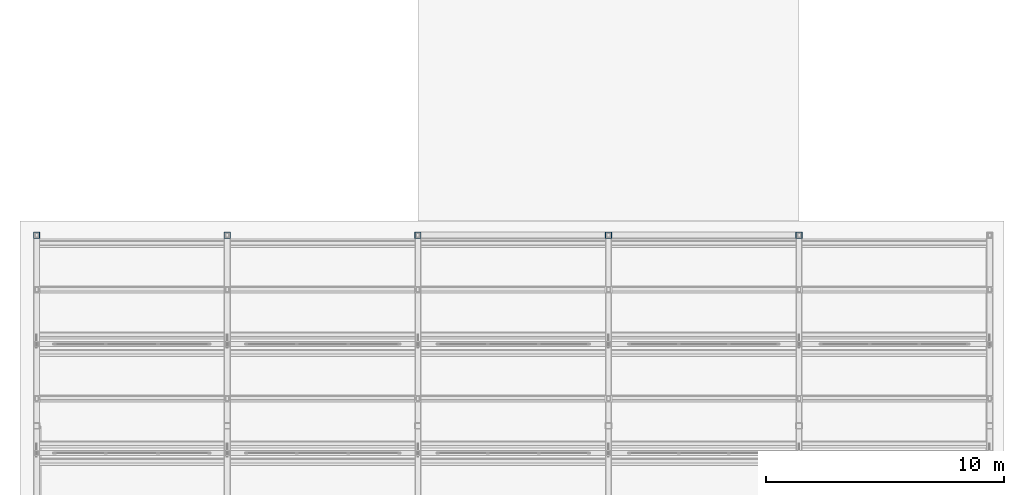
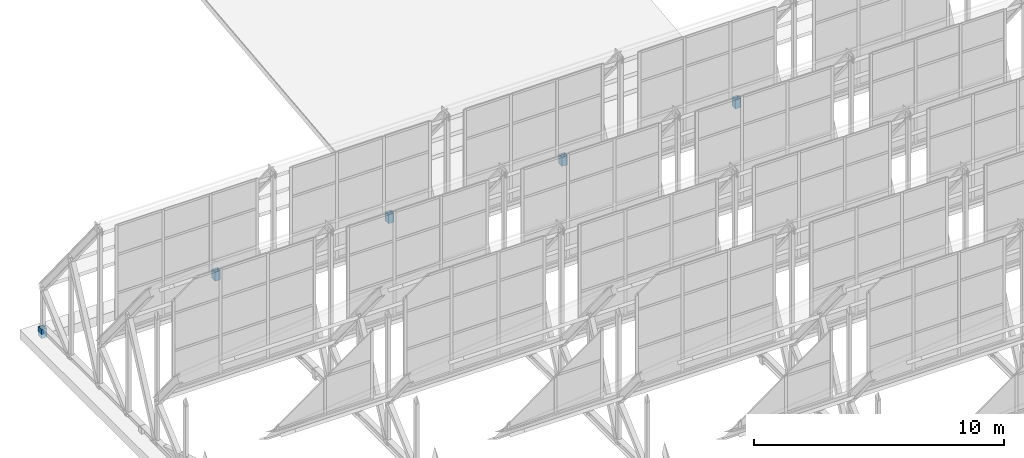
# One storey, part 4 of 34: 5 columns.
"""IFC4 building model written with IfcOpenShell, lengths in metres."""

from ifc_helpers import new_model, si_unit, direction, frame, origin, origin_2d, place, context, subcontext, project, spatial, hollow_rectangle, extrude, material, material_profile, profile_set, type_object, element, save


model = new_model("IFC4")

# Units and contexts
model_context = context("Model", 3, precision=1e-05, world=origin(), true_north=direction((0.0, 1.0)))
body_context = subcontext(model_context, "Body", "Model", "MODEL_VIEW")
ifc_project = project(units=[si_unit("LENGTHUNIT", "METRE"), si_unit("AREAUNIT", "SQUARE_METRE"), si_unit("VOLUMEUNIT", "CUBIC_METRE"), si_unit("PLANEANGLEUNIT", "RADIAN"), si_unit("MASSUNIT", "GRAM", prefix="KILO")], contexts=[model_context])

# Site, building, storey
site_placement = place(None, origin())
site = spatial("IfcSite", under=ifc_project, at=site_placement, CompositionType="ELEMENT")
building_placement = place(site_placement, origin())
building = spatial("IfcBuilding", under=site, at=building_placement, Name="Qorikala Patio Media Centre", CompositionType="ELEMENT")
storey_placement = place(building_placement, frame((0.0, 0.0, 32.699951171875)))
storey = spatial("IfcBuildingStorey", under=building, at=storey_placement, Name="RF", CompositionType="ELEMENT", Elevation=32.699951171875)

# Columns
ifc_material = material(Name="Steel S355", Category="steel")
ifc_material_profile = material_profile(ifc_material, hollow_rectangle(XDim=0.260009765625, YDim=0.260009765625, WallThickness=0.011962890625, at=origin_2d()), Name="HSS260X260X12")
ifc_profile_set = profile_set([ifc_material_profile], Name="Steel S355")
column_type = type_object("IfcColumnType", Name="SCOL-HSS260X260X12", PredefinedType="COLUMN", material=ifc_profile_set)
for number, where, z_axis, x_axis, name in (
    (1, (3.0, 35.0, 0.0), (0.0, 0.0, 1.0), (1.0, 0.0, 0.0), "SAW-V1 Truss Bearing Pedestal (3,35)"),
    (2, (11.0, 35.0, 0.0), (0.0, 0.0, 1.0), (1.0, 0.0, 0.0), "SAW-V1 Truss Bearing Pedestal (11,35)"),
    (3, (19.0, 35.0, 0.0), (0.0, 0.0, 1.0), (1.0, 0.0, 0.0), "SAW-V1 Truss Bearing Pedestal (19,35)"),
    (4, (27.0, 35.0, 0.0), (0.0, 0.0, 1.0), (1.0, 0.0, 0.0), "SAW-V1 Truss Bearing Pedestal (27,35)"),
    (5, (35.0, 35.0, 0.0), (0.0, 0.0, 1.0), (1.0, 0.0, 0.0), "SAW-V1 Truss Bearing Pedestal (35,35)"),
):
    element("IfcColumn", number, at=place(storey_placement, frame(where, z_axis=z_axis, x_axis=x_axis)), inside=storey, type_object=column_type, Name=name, PredefinedType="COLUMN", context=body_context, shape_type="SweptSolid", body=[
        extrude(hollow_rectangle(XDim=0.260009765625, YDim=0.260009765625, WallThickness=0.011962890625, at=origin_2d()), origin(), (0.0, 0.0, 1.0), 0.449951171875),
    ])

save(model, "model.ifc")
